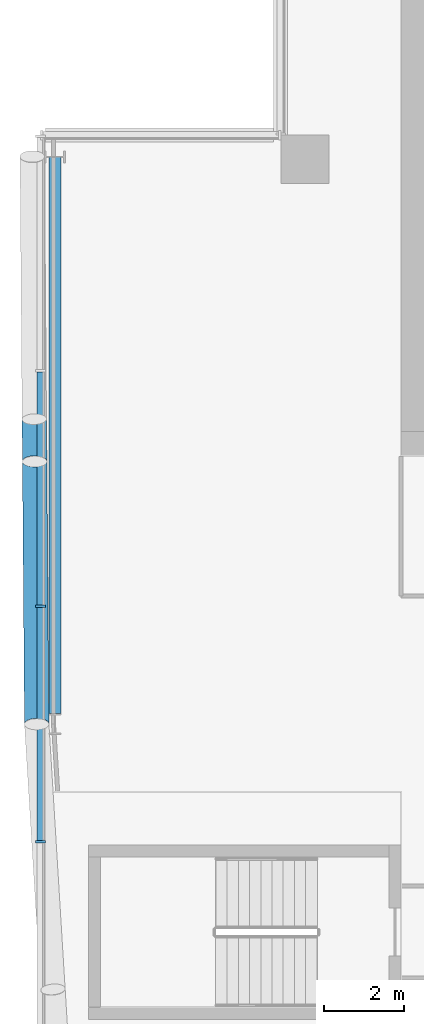
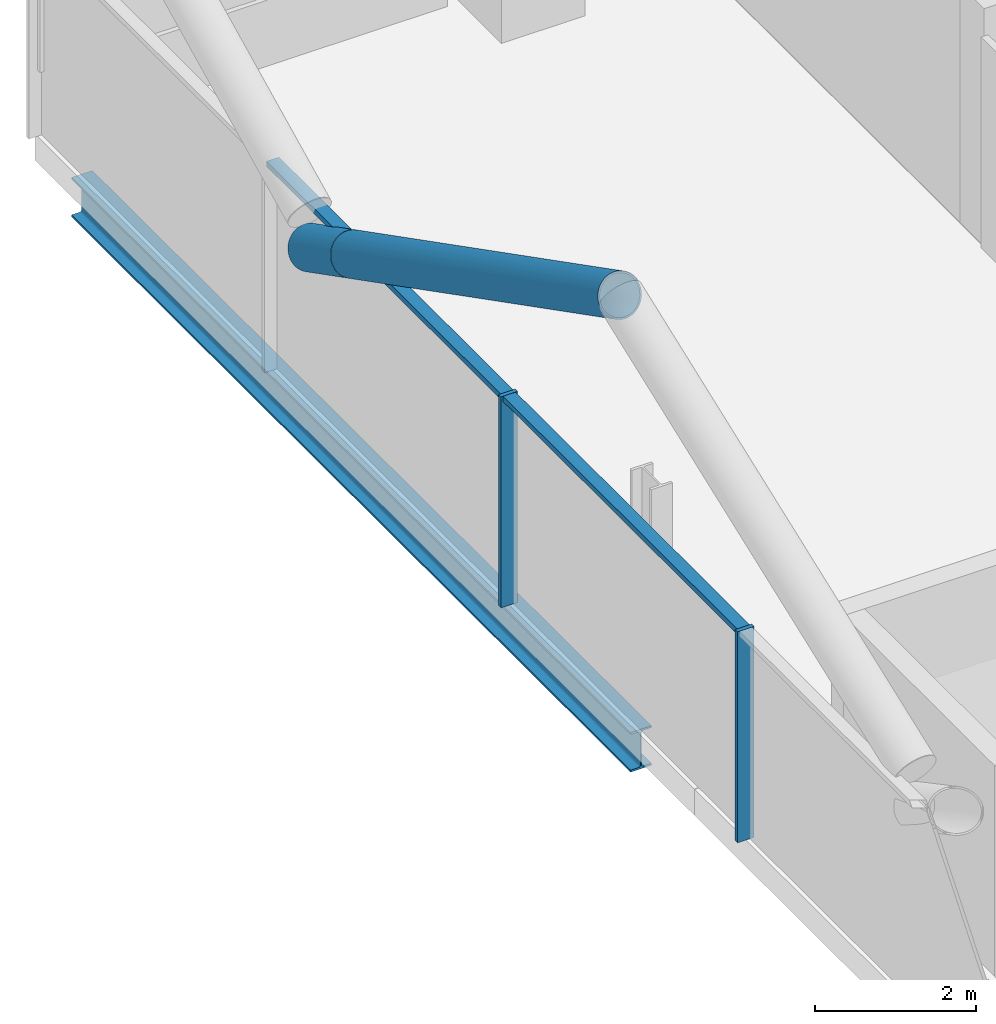
# One storey, part 7 of 28: 6 members, 1 beam, 1 element without a shape of its own.
"""IFC4 building model written with IfcOpenShell, lengths in metres."""

from ifc_helpers import new_model, si_unit, direction, frame, origin, origin_2d, place, context, subcontext, project, spatial, rectangle, hollow_circle, i_section, extrude, material, material_profile, profile_set, type_object, element, aggregate, save


model = new_model("IFC4")

# Units and contexts
model_context = context("Model", 3, precision=1e-05, world=origin(), true_north=direction((0.0, 1.0)))
body_context = subcontext(model_context, "Body", "Model", "MODEL_VIEW")
ifc_project = project(units=[si_unit("LENGTHUNIT", "METRE"), si_unit("AREAUNIT", "SQUARE_METRE"), si_unit("VOLUMEUNIT", "CUBIC_METRE"), si_unit("PLANEANGLEUNIT", "RADIAN"), si_unit("MASSUNIT", "GRAM", prefix="KILO")], contexts=[model_context])

# Site, building, storey
site_placement = place(None, origin())
site = spatial("IfcSite", under=ifc_project, at=site_placement, CompositionType="ELEMENT")
building_placement = place(site_placement, origin())
building = spatial("IfcBuilding", under=site, at=building_placement, Name="Wharfspan Tower", CompositionType="ELEMENT")
storey_placement = place(building_placement, frame((0.0, 0.0, 253.899902)))
storey = spatial("IfcBuildingStorey", under=building, at=storey_placement, Name="L64", CompositionType="ELEMENT", Elevation=253.899902)

# Member
ifc_material_1 = material(Name="Steel S460NH", Category="steel")
ifc_material_profile_1 = material_profile(ifc_material_1, hollow_circle(Radius=0.304932, WallThickness=0.024902, at=origin_2d()))
ifc_profile_set_1 = profile_set([ifc_material_profile_1], Name="Steel S460NH")
member_type_1 = type_object("IfcMemberType", Name="Brace node tie CHS 610x25", PredefinedType="STRUT", material=ifc_profile_set_1)
member_1_placement = place(storey_placement, frame((13.844971, 34.901611, 2.634766), z_axis=(0.007089, -0.89134, 0.45328), x_axis=(0.999971, 0.007955, 4e-06)))
element("IfcMember", 1, at=member_1_placement, inside=storey, type_object=member_type_1, Name="Brace node tie L64 W3", PredefinedType="STRUT", context=body_context, shape_type="SweptSolid", body=[
    extrude(hollow_circle(Radius=0.304932, WallThickness=0.024902, at=origin_2d()), origin(), (0.0, 0.0, 1.0), 1.170898),
])

# Beam
ifc_material_2 = material(Name="Steel S355J2", Category="steel")
ifc_material_profile_2 = material_profile(ifc_material_2, i_section(OverallWidth=0.300049, OverallDepth=0.600098, WebThickness=0.015381, FlangeThickness=0.030029, FilletRadius=0.0271, at=origin_2d()))
ifc_profile_set_2 = profile_set([ifc_material_profile_2], Name="Steel S355J2")
beam_type = type_object("IfcBeamType", Name="Edge beam HEB 600", PredefinedType="SPANDREL", material=ifc_profile_set_2)
beam_placement = place(storey_placement, frame((14.356934, 41.453125, -0.699951), z_axis=(0.000211, -1.0, 0.0), x_axis=(1.0, 0.000211, 0.0)))
element("IfcBeam", 2, at=beam_placement, inside=storey, type_object=beam_type, Name="Edge beam W L64 PNRW-H.1 to PW.1", PredefinedType="SPANDREL", context=body_context, shape_type="SweptSolid", body=[
    extrude(i_section(OverallWidth=0.300049, OverallDepth=0.600098, WebThickness=0.015381, FlangeThickness=0.030029, FilletRadius=0.0271, at=origin_2d()), origin(), (0.0, 0.0, 1.0), 13.89502),
])

# Curtain wall, members
ifc_material_3 = material(Name="Aluminium 6063-T6", Category="aluminium")
curtain_wall_type = type_object("IfcCurtainWallType", Name="CURTAIN WALL PROW AND END", PredefinedType="NOTDEFINED", material=ifc_material_3)
curtain_wall_placement = place(storey_placement, origin())
curtain_wall = element("IfcCurtainWall", 3, at=curtain_wall_placement, inside=storey, type_object=curtain_wall_type, Name="Curtain wall W", PredefinedType="NOTDEFINED")
ifc_material_profile_3 = material_profile(ifc_material_3, rectangle(XDim=0.23999, YDim=0.060059, at=origin_2d()))
ifc_profile_set_3 = profile_set([ifc_material_profile_3], Name="Aluminium 6063-T6")
member_type_2 = type_object("IfcMemberType", Name="MULLION PROW AND END 60x240", PredefinedType="MULLION", material=ifc_profile_set_3)
member_2_placement = place(storey_placement, frame((14.0, 30.23999, 0.0), z_axis=(0.0, 0.0, 1.0), x_axis=(1.0, 0.0, 0.0)))
member_2 = element("IfcMember", 4, at=member_2_placement, type_object=member_type_2, Name="Curtain wall W mullion 3", PredefinedType="MULLION", context=body_context, shape_type="SweptSolid", body=[
    extrude(rectangle(XDim=0.23999, YDim=0.060059, at=origin_2d()), origin(), (0.0, 0.0, 1.0), 3.200195),
])
member_3_placement = place(storey_placement, frame((14.0, 24.360107, 0.0), z_axis=(0.0, 0.0, 1.0), x_axis=(1.0, 0.0, 0.0)))
member_3 = element("IfcMember", 5, at=member_3_placement, type_object=member_type_2, Name="Curtain wall W mullion 4", PredefinedType="MULLION", context=body_context, shape_type="SweptSolid", body=[
    extrude(rectangle(XDim=0.23999, YDim=0.060059, at=origin_2d()), origin(), (0.0, 0.0, 1.0), 3.200195),
])

# Member
ifc_material_profile_4 = material_profile(ifc_material_1, hollow_circle(Radius=0.304932, WallThickness=0.024902, at=origin_2d()))
ifc_profile_set_4 = profile_set([ifc_material_profile_4], Name="Steel S460NH")
member_type_3 = type_object("IfcMemberType", Name="Mega brace CHS 610x25", PredefinedType="BRACE", material=ifc_profile_set_4)
member_4_placement = place(storey_placement, frame((13.853271, 33.849121, 3.169922), z_axis=(0.007044, -0.891361, 0.45324), x_axis=(0.999973, 0.007904, 3e-06)))
element("IfcMember", 6, at=member_4_placement, inside=storey, type_object=member_type_3, Name="Mega brace W3 L64 part 2", PredefinedType="BRACE", context=body_context, shape_type="SweptSolid", body=[
    extrude(hollow_circle(Radius=0.304932, WallThickness=0.024902, at=origin_2d()), origin(), (0.0, 0.0, 1.0), 7.347168),
])

ifc_material_profile_5 = material_profile(ifc_material_3, rectangle(XDim=0.179932, YDim=0.080078, at=origin_2d()))
ifc_profile_set_5 = profile_set([ifc_material_profile_5], Name="Aluminium 6063-T6")
member_type_4 = type_object("IfcMemberType", Name="TRANSOM PROW AND END 80x180", PredefinedType="USERDEFINED", material=ifc_profile_set_5)
member_5_placement = place(storey_placement, frame((14.0, 36.090088, 3.160156), z_axis=(0.0, -1.0, 0.0), x_axis=(1.0, 0.0, 0.0)))
member_5 = element("IfcMember", 7, at=member_5_placement, type_object=member_type_4, Name="Curtain wall W transom 2", ObjectType="TRANSOM", PredefinedType="USERDEFINED", context=body_context, shape_type="SweptSolid", body=[
    extrude(rectangle(XDim=0.179932, YDim=0.080078, at=origin_2d()), origin(), (0.0, 0.0, 1.0), 5.820068),
])

member_6_placement = place(storey_placement, frame((14.0, 30.209961, 3.160156), z_axis=(0.0, -1.0, 0.0), x_axis=(1.0, 0.0, 0.0)))
member_6 = element("IfcMember", 8, at=member_6_placement, type_object=member_type_4, Name="Curtain wall W transom 3", ObjectType="TRANSOM", PredefinedType="USERDEFINED", context=body_context, shape_type="SweptSolid", body=[
    extrude(rectangle(XDim=0.179932, YDim=0.080078, at=origin_2d()), origin(), (0.0, 0.0, 1.0), 5.820068),
])

aggregate(curtain_wall, [member_2, member_3, member_5, member_6])

save(model, "model.ifc")
